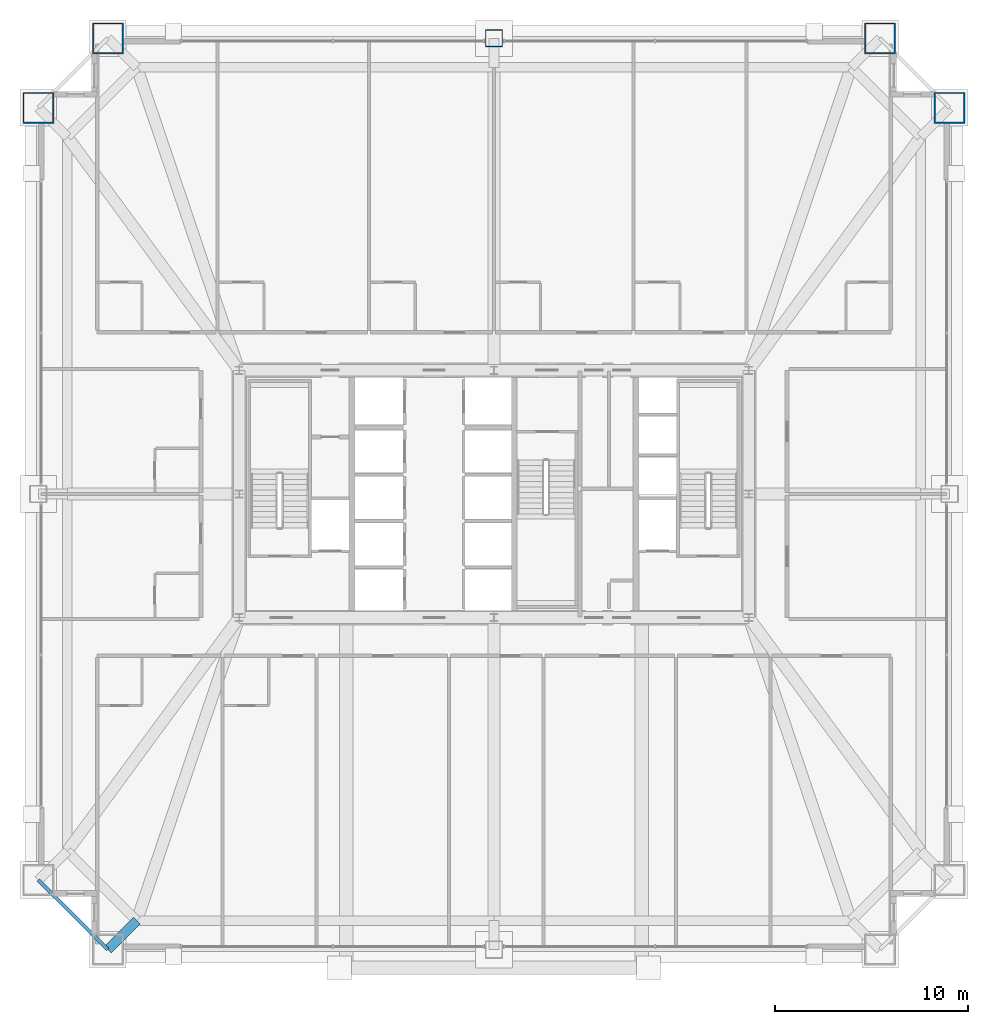
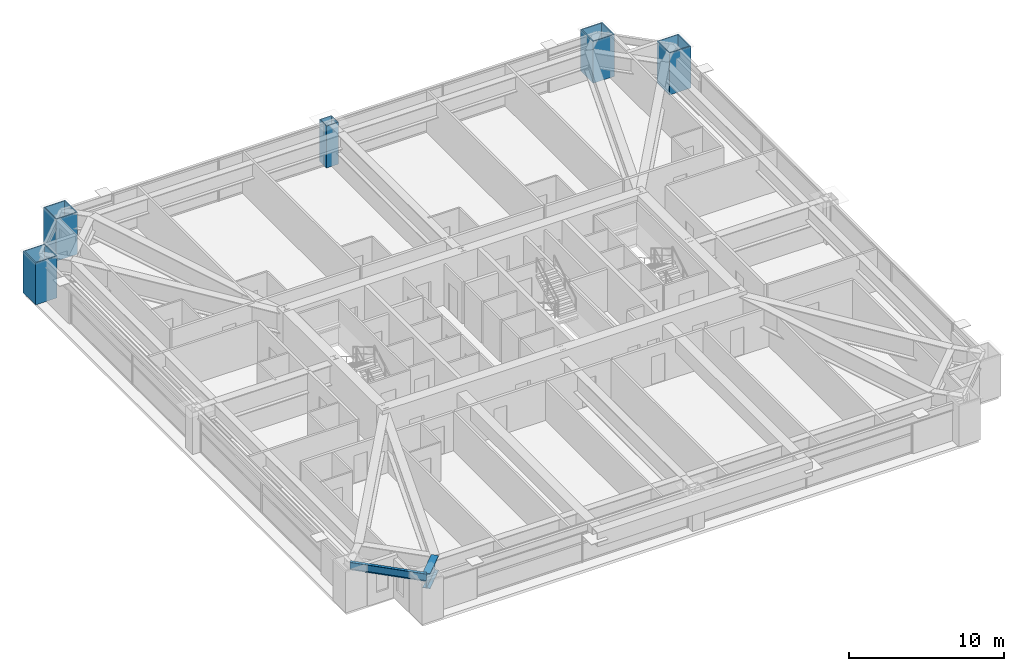
# One storey, part 3 of 45: 5 columns, 2 beams.
"""IFC4 building model written with IfcOpenShell, lengths in metres."""

from ifc_helpers import new_model, si_unit, direction, frame, origin, origin_2d, place, context, subcontext, project, spatial, hollow_rectangle, i_section, extrude, source, transform, mapped, material, material_profile, profile_set, type_object, element, save


model = new_model("IFC4")

# Units and contexts
model_context = context("Model", 3, precision=1e-05, world=origin(), true_north=direction((0.0, 1.0)))
body_context = subcontext(model_context, "Body", "Model", "MODEL_VIEW")
ifc_project = project(units=[si_unit("LENGTHUNIT", "METRE"), si_unit("AREAUNIT", "SQUARE_METRE"), si_unit("VOLUMEUNIT", "CUBIC_METRE"), si_unit("PLANEANGLEUNIT", "RADIAN"), si_unit("MASSUNIT", "GRAM", prefix="KILO"), si_unit("THERMODYNAMICTEMPERATUREUNIT", "KELVIN"), si_unit("POWERUNIT", "WATT")], contexts=[model_context])

# Site, building, storey
site_placement = place(None, origin())
site = spatial("IfcSite", under=ifc_project, at=site_placement, CompositionType="ELEMENT")
building_placement = place(site_placement, origin())
building = spatial("IfcBuilding", under=site, at=building_placement, Name="Yuzanri Waterfront Tower", CompositionType="ELEMENT")
storey_placement = place(building_placement, frame((0.0, 0.0, 163.199951171875)))
storey = spatial("IfcBuildingStorey", under=building, at=storey_placement, Name="L43", CompositionType="ELEMENT", Elevation=163.199951171875)

# Columns
ifc_material_1 = material(Name="Steel Q420GJC", Category="steel")
ifc_material_profile_1 = material_profile(ifc_material_1, hollow_rectangle(XDim=1.60009765625, YDim=1.60009765625, WallThickness=0.070068359375, at=origin_2d()), Name="RHS 1600x1600x70")
ifc_profile_set_1 = profile_set([ifc_material_profile_1], Name="Steel Q420GJC")
column_type_1 = type_object("IfcColumnType", Name="Mega Column Q420GJC RHS 1600x1600x70", PredefinedType="COLUMN", material=ifc_profile_set_1)
shared_shape_1 = source(origin(), body_context, "Body", "SweptSolid", [
    extrude(hollow_rectangle(XDim=1.60009765625, YDim=1.60009765625, WallThickness=0.070068359375, at=origin_2d()), origin(), (0.0, 0.0, 1.0), 3.300048828125),
])
for number, where, z_axis, x_axis, name in (
    (1, (17.0, 49.39990234375, 0.0), (0.0, 0.0, 1.0), (1.0, 0.0, 0.0), "L43 Perimeter Mega Column N1"),
    (2, (57.0, 49.39990234375, 0.0), (0.0, 0.0, 1.0), (1.0, 0.0, 0.0), "L43 Perimeter Mega Column N3"),
    (3, (13.39990234375, 45.800048828125, 0.0), (0.0, 0.0, 1.0), (1.0, 0.0, 0.0), "L43 Perimeter Mega Column W3"),
    (4, (60.60009765625, 45.800048828125, 0.0), (0.0, 0.0, 1.0), (1.0, 0.0, 0.0), "L43 Perimeter Mega Column E3"),
):
    element("IfcColumn", number, at=place(storey_placement, frame(where, z_axis=z_axis, x_axis=x_axis)), inside=storey, type_object=column_type_1, Name=name, PredefinedType="COLUMN", context=body_context, shape_type="MappedRepresentation", body=[
        mapped(shared_shape_1, transform((0.0, 0.0, 0.0), scale=1.0)),
    ])
ifc_material_2 = material(Name="Steel Q390GJC", Category="steel")
ifc_material_profile_2 = material_profile(ifc_material_2, hollow_rectangle(XDim=0.89990234375, YDim=0.89990234375, WallThickness=0.0419921875, at=origin_2d()), Name="RHS 900x900x42")
ifc_profile_set_2 = profile_set([ifc_material_profile_2], Name="Steel Q390GJC")
column_type_2 = type_object("IfcColumnType", Name="Frame Column Q390GJC RHS 900x900x42", PredefinedType="COLUMN", material=ifc_profile_set_2)
shared_shape_2 = source(origin(), body_context, "Body", "SweptSolid", [
    extrude(hollow_rectangle(XDim=0.89990234375, YDim=0.89990234375, WallThickness=0.0419921875, at=origin_2d()), origin(), (0.0, 0.0, 1.0), 3.300048828125),
])
column_placement = place(storey_placement, frame((37.0, 49.39990234375, 0.0), z_axis=(0.0, 0.0, 1.0), x_axis=(1.0, 0.0, 0.0)))
element("IfcColumn", 5, at=column_placement, inside=storey, type_object=column_type_2, Name="L43 Perimeter Frame Column N2", PredefinedType="COLUMN", context=body_context, shape_type="MappedRepresentation", body=[
    mapped(shared_shape_2, transform((0.0, 0.0, 0.0), scale=1.0)),
])

# Beams
ifc_material_3 = material(Name="Steel Q355B", Category="steel")
ifc_material_profile_3 = material_profile(ifc_material_3, i_section(OverallWidth=0.199951171875, OverallDepth=0.60009765625, WebThickness=0.010986328125, FlangeThickness=0.01708984375, at=origin_2d()), Name="HN 600x200x11x17")
ifc_profile_set_3 = profile_set([ifc_material_profile_3], Name="Steel Q355B")
beam_type_1 = type_object("IfcBeamType", Name="Perimeter Spandrel Q355B HN 600x200", PredefinedType="SPANDREL", material=ifc_profile_set_3)
shared_shape_3 = source(origin(), body_context, "Body", "SweptSolid", [
    extrude(i_section(OverallWidth=0.199951171875, OverallDepth=0.60009765625, WebThickness=0.010986328125, FlangeThickness=0.01708984375, at=origin_2d()), origin(), (0.0, 0.0, 1.0), 5.09130859375),
])
beam_1_placement = place(storey_placement, frame((13.39990234375, 5.800048828125, 3.0), z_axis=(0.707106781187, -0.707106781187, 0.0), x_axis=(0.707106781187, 0.707106781187, 0.0)))
element("IfcBeam", 6, at=beam_1_placement, inside=storey, type_object=beam_type_1, Name="L43 Perimeter Spandrel W1-S1", PredefinedType="SPANDREL", context=body_context, shape_type="MappedRepresentation", body=[
    mapped(shared_shape_3, transform((0.0, 0.0, 0.0), scale=1.0)),
])
ifc_material_4 = material(Name="Steel Q420GJC", Category="steel")
ifc_material_profile_4 = material_profile(ifc_material_4, i_section(OverallWidth=0.5, OverallDepth=1.199951171875, WebThickness=0.028076171875, FlangeThickness=0.050048828125, at=origin_2d()), Name="PG 1200x500x28x50")
ifc_profile_set_4 = profile_set([ifc_material_profile_4], Name="Steel Q420GJC")
beam_type_2 = type_object("IfcBeamType", Name="Setback Transfer Girder Q420GJC PG 1200x500", PredefinedType="USERDEFINED", material=ifc_profile_set_4)
shared_shape_4 = source(origin(), body_context, "Body", "SweptSolid", [
    extrude(i_section(OverallWidth=0.5, OverallDepth=1.199951171875, WebThickness=0.028076171875, FlangeThickness=0.050048828125, at=origin_2d()), origin(), (0.0, 0.0, 1.0), 2.121337890625),
])
beam_2_placement = place(storey_placement, frame((18.5, 3.699951171875, 2.699951171875), z_axis=(-0.707106781187, -0.707106781187, 0.0), x_axis=(0.707106781187, -0.707106781187, 0.0)))
element("IfcBeam", 7, at=beam_2_placement, inside=storey, type_object=beam_type_2, Name="L43 Setback Step Transfer S1", ObjectType="GIRDER", PredefinedType="USERDEFINED", context=body_context, shape_type="MappedRepresentation", body=[
    mapped(shared_shape_4, transform((0.0, 0.0, 0.0), scale=1.0)),
])

save(model, "model.ifc")
